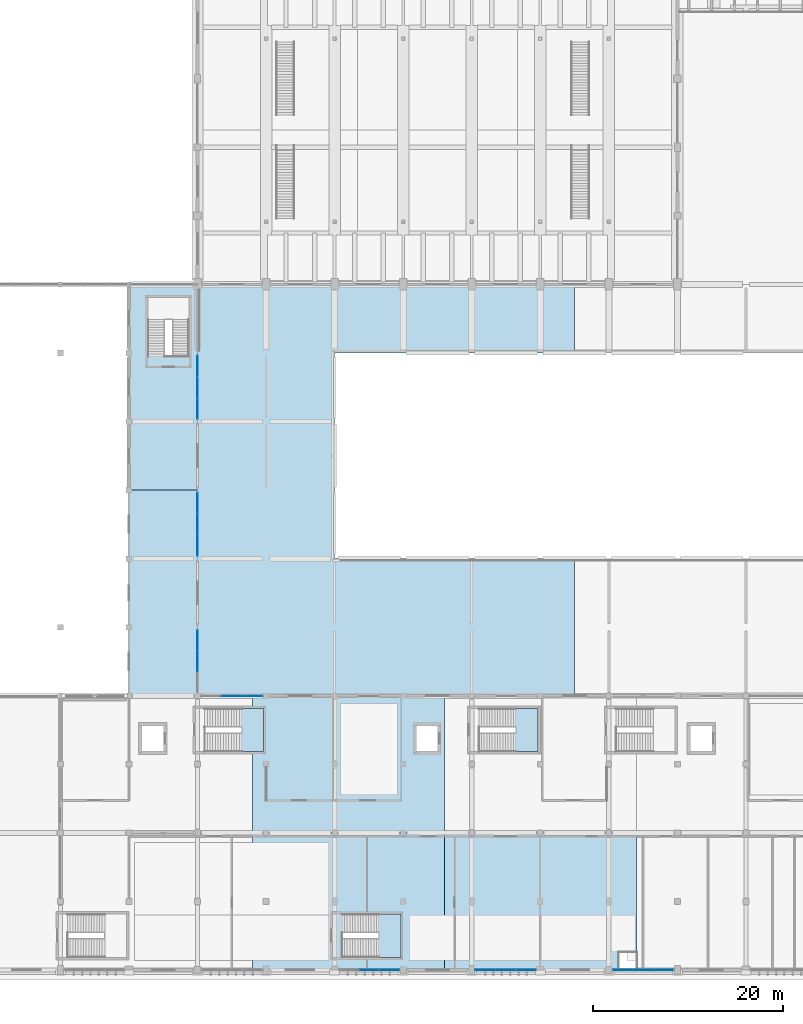
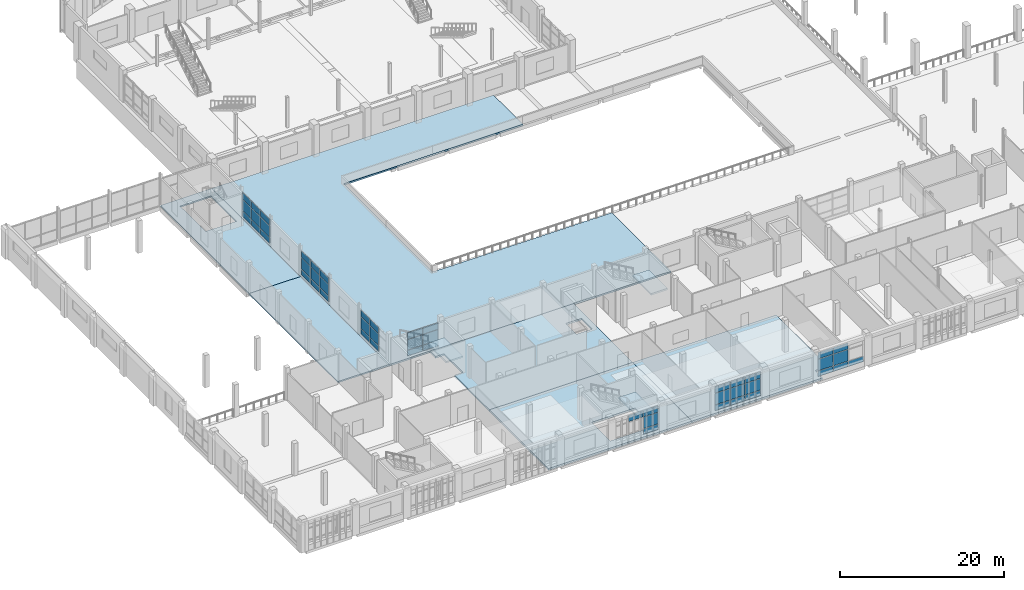
# One storey, part 46 of 82: 50 plates, 9 slabs, 10 elements without a shape of their own.
"""IFC4 building model written with IfcOpenShell, lengths in metres."""

import ifcopenshell
import ifcopenshell.guid

model = None  # the IFC model being written
_history = None  # IfcOwnerHistory: only IFC2X3 demands one
_inside = {}  # id of a spatial element -> (the spatial element, [elements in it])
_under = {}  # id of a project, library or spatial element -> (it, [spatial elements below it])
_declared = {}  # id of a project -> (the project, [libraries it declares])
_typed = {}  # id of a type object -> (the type object, [elements of that type])
_made_of = {}  # id of a material, layer set ... -> (it, [elements and type objects made of it])


def new_model(schema):
    """Start an empty IFC model of exactly this schema.

    Asked for "IFC4X3", IfcOpenShell would pick the latest addendum, in which some entities
    have other attributes; the version numbers below select the first issue.
    IFC2X3 requires an IfcOwnerHistory on every rooted entity: one is made here for all.
    """
    global model, _history
    if schema == "IFC4X3":
        model = ifcopenshell.file(schema_version=(4, 3, 0, 0))
    else:
        model = ifcopenshell.file(schema=schema)
    _inside.clear()
    _under.clear()
    _declared.clear()
    _typed.clear()
    _made_of.clear()
    _history = None
    if model.schema == "IFC2X3":
        org = make("IfcOrganization", Name="unknown")
        user = make(
            "IfcPersonAndOrganization",
            ThePerson=make("IfcPerson", FamilyName="unknown"),
            TheOrganization=org,
        )
        app = make(
            "IfcApplication",
            ApplicationDeveloper=org,
            Version="unknown",
            ApplicationFullName="unknown",
            ApplicationIdentifier="unknown",
        )
        _history = make(
            "IfcOwnerHistory",
            OwningUser=user,
            OwningApplication=app,
            ChangeAction="ADDED",
            CreationDate=0,
        )
    return model


def make(cls, **values):
    """One entity of the class cls with the attributes given. An attribute that is None is left unset."""
    return model.create_entity(
        cls, **{name: value for name, value in values.items() if value is not None}
    )


def rooted(cls, **values):
    """An entity with a GlobalId (a new one), such as an element, a storey or a relation."""
    return make(cls, GlobalId=ifcopenshell.guid.new(), OwnerHistory=_history, **values)


def si_unit(unit_type, name, prefix=None):
    """IfcSIUnit, for example si_unit("LENGTHUNIT", "METRE", prefix="MILLI")."""
    return make("IfcSIUnit", UnitType=unit_type, Prefix=prefix, Name=name)


def assignment(units):
    """IfcUnitAssignment: the units of a project."""
    return None if units is None else make("IfcUnitAssignment", Units=units)


def point(xyz):
    """IfcCartesianPoint."""
    return None if xyz is None else make("IfcCartesianPoint", Coordinates=xyz)


def direction(xyz):
    """IfcDirection."""
    return None if xyz is None else make("IfcDirection", DirectionRatios=xyz)


def frame(location, z_axis=None, x_axis=None):
    """IfcAxis2Placement3D, a coordinate frame: its origin and axes. An axis left out is left unset."""
    return make(
        "IfcAxis2Placement3D",
        Location=point(location),
        Axis=direction(z_axis),
        RefDirection=direction(x_axis),
    )


def frame_2d(location, x_axis=None):
    """IfcAxis2Placement2D, a coordinate frame in the plane: its origin and x axis."""
    return make(
        "IfcAxis2Placement2D", Location=point(location), RefDirection=direction(x_axis)
    )


def origin():
    """The frame at (0, 0, 0) with its axes left unset."""
    return frame((0.0, 0.0, 0.0))


def origin_2d():
    """The frame at (0, 0) in the plane with its x axis left unset."""
    return frame_2d((0.0, 0.0))


def place(relative_to, where):
    """IfcLocalPlacement: puts the frame where relative to a parent placement (None: the world)."""
    return make(
        "IfcLocalPlacement", PlacementRelTo=relative_to, RelativePlacement=where
    )


def context(
    kind, dimensions, precision=None, world=None, true_north=None, identifier=None
):
    """IfcGeometricRepresentationContext, for example the 3D "Model" context."""
    return make(
        "IfcGeometricRepresentationContext",
        ContextIdentifier=identifier,
        ContextType=kind,
        CoordinateSpaceDimension=dimensions,
        Precision=precision,
        WorldCoordinateSystem=world,
        TrueNorth=true_north,
    )


def subcontext(parent, identifier, kind, view, scale=None):
    """IfcGeometricRepresentationSubContext, for example "Body" below "Model"."""
    return make(
        "IfcGeometricRepresentationSubContext",
        ContextIdentifier=identifier,
        ContextType=kind,
        ParentContext=parent,
        TargetScale=scale,
        TargetView=view,
    )


def project(units=None, contexts=None):
    """IfcProject with its units and contexts."""
    return rooted(
        "IfcProject",
        Name="project",
        RepresentationContexts=contexts,
        UnitsInContext=assignment(units),
    )


def spatial(cls, under=None, at=None, **own):
    """A site, building, storey or space (cls), placed at a placement, below another one or the project."""
    s = rooted(cls, ObjectPlacement=at, **own)
    if under is not None:
        _under.setdefault(under.id(), (under, []))[1].append(s)
    return s


def polyline(points):
    """IfcPolyline through the points."""
    return make("IfcPolyline", Points=[point(p) for p in points])


def profile(cls, at=None, kind="AREA", **sizes):
    """A parametric profile (cls). Its sizes go by their IFC names, for example OverallWidth=200.0."""
    return make(cls, ProfileType=kind, Position=at, **sizes)


def rectangle(**sizes):
    """IfcRectangleProfileDef."""
    return profile("IfcRectangleProfileDef", **sizes)


def outline(outer, holes=None, kind="AREA"):
    """IfcArbitraryClosedProfileDef: a profile drawn as a closed curve; with holes, ...WithVoids."""
    if holes is None:
        return make("IfcArbitraryClosedProfileDef", ProfileType=kind, OuterCurve=outer)
    return make(
        "IfcArbitraryProfileDefWithVoids",
        ProfileType=kind,
        OuterCurve=outer,
        InnerCurves=holes,
    )


def extrude(swept, where, along, depth):
    """IfcExtrudedAreaSolid: the profile swept, set in the frame where, extruded along a direction by depth."""
    return make(
        "IfcExtrudedAreaSolid",
        SweptArea=swept,
        Position=where,
        ExtrudedDirection=direction(along),
        Depth=depth,
    )


def shape(context_of_items, identifier, shape_type, items):
    """IfcShapeRepresentation: the items that make up one representation, for example the "Body"."""
    return make(
        "IfcShapeRepresentation",
        ContextOfItems=context_of_items,
        RepresentationIdentifier=identifier,
        RepresentationType=shape_type,
        Items=items,
    )


def material(Name=None, Category=None):
    """IfcMaterial."""
    return make("IfcMaterial", Name=Name, Category=Category)


def layer(
    of_material, thickness, ventilated=None, Name=None, Category=None, Priority=None
):
    """IfcMaterialLayer: one layer of a wall or slab, of a material (None: an air gap)."""
    return make(
        "IfcMaterialLayer",
        Material=of_material,
        LayerThickness=thickness,
        IsVentilated=ventilated,
        Name=Name,
        Category=Category,
        Priority=Priority,
    )


def layer_set(layers, Name=None):
    """IfcMaterialLayerSet."""
    return make("IfcMaterialLayerSet", MaterialLayers=layers, LayerSetName=Name)


def made_of(thing, what):
    """Note that an element or type object is made of a material, layer set ...; save() writes the relation."""
    if what is not None:
        _made_of.setdefault(what.id(), (what, []))[1].append(thing)
    return thing


def type_object(cls, material=None, **own):
    """A type object (cls), such as IfcWallType, which elements share."""
    return made_of(rooted(cls, **own), material)


def element(
    cls,
    number,
    at=None,
    inside=None,
    cuts=None,
    type_object=None,
    material=None,
    context=None,
    identifier="Body",
    shape_type=None,
    held_by="IfcProductDefinitionShape",
    body=None,
    shapes=None,
    **own,
):
    """One element of the class cls, such as IfcWall. Its Tag is "e" and its number.

    at: its placement. inside: the storey or other place that contains it. cuts: it is an
    opening in that element (IfcRelVoidsElement). A single representation is given by context,
    identifier, shape_type and body (its items); several are given by shapes. held_by: the class
    of the entity that holds the representations. save() writes the other relations.
    """
    e = rooted(cls, Tag="e%d" % number, ObjectPlacement=at, **own)
    if body is not None:
        shapes = [shape(context, identifier, shape_type, body)]
    if shapes is not None:
        e.Representation = make(held_by, Representations=shapes)
    if inside is not None:
        _inside.setdefault(inside.id(), (inside, []))[1].append(e)
    if cuts is not None:
        rooted(
            "IfcRelVoidsElement", RelatingBuildingElement=cuts, RelatedOpeningElement=e
        )
    if type_object is not None:
        _typed.setdefault(type_object.id(), (type_object, []))[1].append(e)
    return made_of(e, material)


def aggregate(whole, parts):
    """IfcRelAggregates: a whole, such as a stair, and the parts it consists of."""
    return rooted("IfcRelAggregates", RelatingObject=whole, RelatedObjects=parts)


def save(model, path):
    """Write the relations noted so far, then the file.

    IfcRelAggregates (storeys below a building ...), IfcRelContainedInSpatialStructure (elements
    in a storey), IfcRelDefinesByType, IfcRelAssociatesMaterial and IfcRelDeclares: one each for
    every whole, place, type object, material and project.
    """
    for whole, parts in _under.values():
        aggregate(whole, parts)
    for where, things in _inside.values():
        rooted(
            "IfcRelContainedInSpatialStructure",
            RelatedElements=things,
            RelatingStructure=where,
        )
    for kind, things in _typed.values():
        rooted("IfcRelDefinesByType", RelatedObjects=things, RelatingType=kind)
    for what, things in _made_of.values():
        rooted("IfcRelAssociatesMaterial", RelatedObjects=things, RelatingMaterial=what)
    for by, libraries in _declared.values():
        rooted("IfcRelDeclares", RelatingContext=by, RelatedDefinitions=libraries)
    model.write(path)


model = new_model("IFC4")

# Units and contexts
model_context = context("Model", 3, precision=1e-05, world=origin(), true_north=direction((0.0, 1.0)))
body_context = subcontext(model_context, "Body", "Model", "MODEL_VIEW")
ifc_project = project(units=[si_unit("LENGTHUNIT", "METRE"), si_unit("AREAUNIT", "SQUARE_METRE"), si_unit("VOLUMEUNIT", "CUBIC_METRE"), si_unit("PLANEANGLEUNIT", "RADIAN"), si_unit("MASSUNIT", "GRAM", prefix="KILO")], contexts=[model_context])

# Site, building, storey
site_placement = place(None, origin())
site = spatial("IfcSite", under=ifc_project, at=site_placement, CompositionType="ELEMENT")
building_placement = place(site_placement, origin())
building = spatial("IfcBuilding", under=site, at=building_placement, Name="Sardonyx Promenade Sports Hall", CompositionType="ELEMENT")
storey_placement = place(building_placement, frame((0.0, 0.0, 11.199951171875)))
storey = spatial("IfcBuildingStorey", under=building, at=storey_placement, Name="L02", CompositionType="ELEMENT", Elevation=11.199951171875)

# Curtain wall, plates
ifc_material_1 = material(Name="Aluminium 6063-T6", Category="aluminium")
curtain_wall_type_1 = type_object("IfcCurtainWallType", Name="CW_South_L02_640", PredefinedType="USERDEFINED", material=ifc_material_1)
curtain_wall_1_placement = place(storey_placement, origin())
curtain_wall_1 = element("IfcCurtainWall", 1, at=curtain_wall_1_placement, inside=storey, type_object=curtain_wall_type_1, Name="Curtain wall CW01 cw:L02:035", ObjectType="CURTAIN WALL", PredefinedType="USERDEFINED")
ifc_material_2 = material(Name="Double-glazed solar low-E IGU 28 mm", Category="glass")
ifc_layer_1 = layer(ifc_material_2, 0.028076171875)
ifc_layer_set_1 = layer_set([ifc_layer_1], Name="CW_Pan_Glz_28")
plate_type_1 = type_object("IfcPlateType", Name="CW_Pan_Glz_28", PredefinedType="CURTAIN_PANEL", material=ifc_layer_set_1)
plate_1_placement = place(storey_placement, frame((77.7734375, 0.0, 0.4150390625), z_axis=(0.0, 0.0, 1.0), x_axis=(-1.0, 0.0, 0.0)))
plate_1 = element("IfcPlate", 2, at=plate_1_placement, type_object=plate_type_1, Name="Curtain panel CP01 cw:L02:035 #1", PredefinedType="CURTAIN_PANEL", context=body_context, shape_type="SweptSolid", body=[
    extrude(rectangle(XDim=2.083251953125, YDim=0.028076171875, at=origin_2d()), origin(), (0.0, 0.0, 1.0), 0.802490234375),
])
plate_2_placement = place(storey_placement, frame((75.625, 0.0, 0.4150390625), z_axis=(0.0, 0.0, 1.0), x_axis=(-1.0, 0.0, 0.0)))
plate_2 = element("IfcPlate", 3, at=plate_2_placement, type_object=plate_type_1, Name="Curtain panel CP01 cw:L02:035 #4", PredefinedType="CURTAIN_PANEL", context=body_context, shape_type="SweptSolid", body=[
    extrude(rectangle(XDim=2.083251953125, YDim=0.028076171875, at=origin_2d()), origin(), (0.0, 0.0, 1.0), 0.802490234375),
])
plate_3_placement = place(storey_placement, frame((75.625, 0.0, 1.282470703125), z_axis=(0.0, 0.0, 1.0), x_axis=(-1.0, 0.0, 0.0)))
plate_3 = element("IfcPlate", 4, at=plate_3_placement, type_object=plate_type_1, Name="Curtain panel CP01 cw:L02:035 #5", PredefinedType="CURTAIN_PANEL", context=body_context, shape_type="SweptSolid", body=[
    extrude(rectangle(XDim=2.083251953125, YDim=0.028076171875, at=origin_2d()), origin(), (0.0, 0.0, 1.0), 1.68505859375),
])
plate_4_placement = place(storey_placement, frame((75.625, 0.0, 3.03271484375), z_axis=(0.0, 0.0, 1.0), x_axis=(-1.0, 0.0, 0.0)))
plate_4 = element("IfcPlate", 5, at=plate_4_placement, type_object=plate_type_1, Name="Curtain panel CP01 cw:L02:035 #6", PredefinedType="CURTAIN_PANEL", context=body_context, shape_type="SweptSolid", body=[
    extrude(rectangle(XDim=2.083251953125, YDim=0.028076171875, at=origin_2d()), origin(), (0.0, 0.0, 1.0), 0.952392578125),
])
plate_5_placement = place(storey_placement, frame((73.4765625, 0.0, 0.4150390625), z_axis=(0.0, 0.0, 1.0), x_axis=(-1.0, 0.0, 0.0)))
plate_5 = element("IfcPlate", 6, at=plate_5_placement, type_object=plate_type_1, Name="Curtain panel CP01 cw:L02:035 #7", PredefinedType="CURTAIN_PANEL", context=body_context, shape_type="SweptSolid", body=[
    extrude(rectangle(XDim=2.083251953125, YDim=0.028076171875, at=origin_2d()), origin(), (0.0, 0.0, 1.0), 0.802490234375),
])
plate_6_placement = place(storey_placement, frame((73.4765625, 0.0, 1.282470703125), z_axis=(0.0, 0.0, 1.0), x_axis=(-1.0, 0.0, 0.0)))
plate_6 = element("IfcPlate", 7, at=plate_6_placement, type_object=plate_type_1, Name="Curtain panel CP01 cw:L02:035 #8", PredefinedType="CURTAIN_PANEL", context=body_context, shape_type="SweptSolid", body=[
    extrude(rectangle(XDim=2.083251953125, YDim=0.028076171875, at=origin_2d()), origin(), (0.0, 0.0, 1.0), 1.68505859375),
])
plate_7_placement = place(storey_placement, frame((73.4765625, 0.0, 3.03271484375), z_axis=(0.0, 0.0, 1.0), x_axis=(-1.0, 0.0, 0.0)))
plate_7 = element("IfcPlate", 8, at=plate_7_placement, type_object=plate_type_1, Name="Curtain panel CP01 cw:L02:035 #9", PredefinedType="CURTAIN_PANEL", context=body_context, shape_type="SweptSolid", body=[
    extrude(rectangle(XDim=2.083251953125, YDim=0.028076171875, at=origin_2d()), origin(), (0.0, 0.0, 1.0), 0.952392578125),
])
aggregate(curtain_wall_1, [plate_1, plate_2, plate_3, plate_4, plate_5, plate_6, plate_7])

curtain_wall_2_placement = place(storey_placement, origin())
curtain_wall_2 = element("IfcCurtainWall", 9, at=curtain_wall_2_placement, inside=storey, type_object=curtain_wall_type_1, Name="Curtain wall CW01 cw:L02:036", ObjectType="CURTAIN WALL", PredefinedType="USERDEFINED")
plate_8_placement = place(storey_placement, frame((63.28173828125, 0.0, 0.4150390625), z_axis=(0.0, 0.0, 1.0), x_axis=(-1.0, 0.0, 0.0)))
plate_8 = element("IfcPlate", 10, at=plate_8_placement, type_object=plate_type_1, Name="Curtain panel CP01 cw:L02:036 #1", PredefinedType="CURTAIN_PANEL", context=body_context, shape_type="SweptSolid", body=[
    extrude(rectangle(XDim=2.066650390625, YDim=0.028076171875, at=origin_2d()), origin(), (0.0, 0.0, 1.0), 0.802490234375),
])
plate_9_placement = place(storey_placement, frame((63.28173828125, 0.0, 1.282470703125), z_axis=(0.0, 0.0, 1.0), x_axis=(-1.0, 0.0, 0.0)))
plate_9 = element("IfcPlate", 11, at=plate_9_placement, type_object=plate_type_1, Name="Curtain panel CP01 cw:L02:036 #2", PredefinedType="CURTAIN_PANEL", context=body_context, shape_type="SweptSolid", body=[
    extrude(rectangle(XDim=2.066650390625, YDim=0.028076171875, at=origin_2d()), origin(), (0.0, 0.0, 1.0), 1.68505859375),
])
plate_10_placement = place(storey_placement, frame((63.28173828125, 0.0, 3.03271484375), z_axis=(0.0, 0.0, 1.0), x_axis=(-1.0, 0.0, 0.0)))
plate_10 = element("IfcPlate", 12, at=plate_10_placement, type_object=plate_type_1, Name="Curtain panel CP01 cw:L02:036 #3", PredefinedType="CURTAIN_PANEL", context=body_context, shape_type="SweptSolid", body=[
    extrude(rectangle(XDim=2.066650390625, YDim=0.028076171875, at=origin_2d()), origin(), (0.0, 0.0, 1.0), 0.952392578125),
])
plate_11_placement = place(storey_placement, frame((61.14990234375, 0.0, 0.4150390625), z_axis=(0.0, 0.0, 1.0), x_axis=(-1.0, 0.0, 0.0)))
plate_11 = element("IfcPlate", 13, at=plate_11_placement, type_object=plate_type_1, Name="Curtain panel CP01 cw:L02:036 #4", PredefinedType="CURTAIN_PANEL", context=body_context, shape_type="SweptSolid", body=[
    extrude(rectangle(XDim=2.066650390625, YDim=0.028076171875, at=origin_2d()), origin(), (0.0, 0.0, 1.0), 0.802490234375),
])
plate_12_placement = place(storey_placement, frame((61.14990234375, 0.0, 1.282470703125), z_axis=(0.0, 0.0, 1.0), x_axis=(-1.0, 0.0, 0.0)))
plate_12 = element("IfcPlate", 14, at=plate_12_placement, type_object=plate_type_1, Name="Curtain panel CP01 cw:L02:036 #5", PredefinedType="CURTAIN_PANEL", context=body_context, shape_type="SweptSolid", body=[
    extrude(rectangle(XDim=2.066650390625, YDim=0.028076171875, at=origin_2d()), origin(), (0.0, 0.0, 1.0), 1.68505859375),
])
plate_13_placement = place(storey_placement, frame((61.14990234375, 0.0, 3.03271484375), z_axis=(0.0, 0.0, 1.0), x_axis=(-1.0, 0.0, 0.0)))
plate_13 = element("IfcPlate", 15, at=plate_13_placement, type_object=plate_type_1, Name="Curtain panel CP01 cw:L02:036 #6", PredefinedType="CURTAIN_PANEL", context=body_context, shape_type="SweptSolid", body=[
    extrude(rectangle(XDim=2.066650390625, YDim=0.028076171875, at=origin_2d()), origin(), (0.0, 0.0, 1.0), 0.952392578125),
])
plate_14_placement = place(storey_placement, frame((59.018310546875, 0.0, 0.4150390625), z_axis=(0.0, 0.0, 1.0), x_axis=(-1.0, 0.0, 0.0)))
plate_14 = element("IfcPlate", 16, at=plate_14_placement, type_object=plate_type_1, Name="Curtain panel CP01 cw:L02:036 #7", PredefinedType="CURTAIN_PANEL", context=body_context, shape_type="SweptSolid", body=[
    extrude(rectangle(XDim=2.066650390625, YDim=0.028076171875, at=origin_2d()), origin(), (0.0, 0.0, 1.0), 0.802490234375),
])
plate_15_placement = place(storey_placement, frame((59.018310546875, 0.0, 1.282470703125), z_axis=(0.0, 0.0, 1.0), x_axis=(-1.0, 0.0, 0.0)))
plate_15 = element("IfcPlate", 17, at=plate_15_placement, type_object=plate_type_1, Name="Curtain panel CP01 cw:L02:036 #8", PredefinedType="CURTAIN_PANEL", context=body_context, shape_type="SweptSolid", body=[
    extrude(rectangle(XDim=2.066650390625, YDim=0.028076171875, at=origin_2d()), origin(), (0.0, 0.0, 1.0), 1.68505859375),
])
plate_16_placement = place(storey_placement, frame((59.018310546875, 0.0, 3.03271484375), z_axis=(0.0, 0.0, 1.0), x_axis=(-1.0, 0.0, 0.0)))
plate_16 = element("IfcPlate", 18, at=plate_16_placement, type_object=plate_type_1, Name="Curtain panel CP01 cw:L02:036 #9", PredefinedType="CURTAIN_PANEL", context=body_context, shape_type="SweptSolid", body=[
    extrude(rectangle(XDim=2.066650390625, YDim=0.028076171875, at=origin_2d()), origin(), (0.0, 0.0, 1.0), 0.952392578125),
])
aggregate(curtain_wall_2, [plate_8, plate_9, plate_10, plate_11, plate_12, plate_13, plate_14, plate_15, plate_16])

curtain_wall_3_placement = place(storey_placement, origin())
curtain_wall_3 = element("IfcCurtainWall", 19, at=curtain_wall_3_placement, inside=storey, type_object=curtain_wall_type_1, Name="Curtain wall CW01 cw:L02:037", ObjectType="CURTAIN WALL", PredefinedType="USERDEFINED")
plate_17_placement = place(storey_placement, frame((48.93994140625, 0.0, 0.4150390625), z_axis=(0.0, 0.0, 1.0), x_axis=(-1.0, 0.0, 0.0)))
plate_17 = element("IfcPlate", 20, at=plate_17_placement, type_object=plate_type_1, Name="Curtain panel CP01 cw:L02:037 #1", PredefinedType="CURTAIN_PANEL", context=body_context, shape_type="SweptSolid", body=[
    extrude(rectangle(XDim=2.050048828125, YDim=0.028076171875, at=origin_2d()), origin(), (0.0, 0.0, 1.0), 0.802490234375),
])
plate_18_placement = place(storey_placement, frame((48.93994140625, 0.0, 1.282470703125), z_axis=(0.0, 0.0, 1.0), x_axis=(-1.0, 0.0, 0.0)))
plate_18 = element("IfcPlate", 21, at=plate_18_placement, type_object=plate_type_1, Name="Curtain panel CP01 cw:L02:037 #2", PredefinedType="CURTAIN_PANEL", context=body_context, shape_type="SweptSolid", body=[
    extrude(rectangle(XDim=2.050048828125, YDim=0.028076171875, at=origin_2d()), origin(), (0.0, 0.0, 1.0), 1.68505859375),
])
plate_19_placement = place(storey_placement, frame((48.93994140625, 0.0, 3.03271484375), z_axis=(0.0, 0.0, 1.0), x_axis=(-1.0, 0.0, 0.0)))
plate_19 = element("IfcPlate", 22, at=plate_19_placement, type_object=plate_type_1, Name="Curtain panel CP01 cw:L02:037 #3", PredefinedType="CURTAIN_PANEL", context=body_context, shape_type="SweptSolid", body=[
    extrude(rectangle(XDim=2.050048828125, YDim=0.028076171875, at=origin_2d()), origin(), (0.0, 0.0, 1.0), 0.952392578125),
])
plate_20_placement = place(storey_placement, frame((46.824951171875, 0.0, 3.03271484375), z_axis=(0.0, 0.0, 1.0), x_axis=(-1.0, 0.0, 0.0)))
plate_20 = element("IfcPlate", 23, at=plate_20_placement, type_object=plate_type_1, Name="Curtain panel CP01 cw:L02:037 #6", PredefinedType="CURTAIN_PANEL", context=body_context, shape_type="SweptSolid", body=[
    extrude(rectangle(XDim=2.050048828125, YDim=0.028076171875, at=origin_2d()), origin(), (0.0, 0.0, 1.0), 0.952392578125),
])
aggregate(curtain_wall_3, [plate_17, plate_18, plate_19, plate_20])

curtain_wall_4_placement = place(storey_placement, origin())
curtain_wall_4 = element("IfcCurtainWall", 24, at=curtain_wall_4_placement, inside=storey, type_object=curtain_wall_type_1, Name="Curtain wall CW01 cw:L02:152", ObjectType="CURTAIN WALL", PredefinedType="USERDEFINED")
plate_21_placement = place(storey_placement, frame((28.800048828125, 63.418212890625, 0.4150390625), z_axis=(0.0, 0.0, 1.0), x_axis=(0.0, -1.0, 0.0)))
plate_21 = element("IfcPlate", 25, at=plate_21_placement, type_object=plate_type_1, Name="Curtain panel CP01 cw:L02:152 #1", PredefinedType="CURTAIN_PANEL", context=body_context, shape_type="SweptSolid", body=[
    extrude(rectangle(XDim=2.1533203125, YDim=0.028076171875, at=origin_2d()), origin(), (0.0, 0.0, 1.0), 0.802490234375),
])
plate_22_placement = place(storey_placement, frame((28.800048828125, 63.418212890625, 1.282470703125), z_axis=(0.0, 0.0, 1.0), x_axis=(0.0, -1.0, 0.0)))
plate_22 = element("IfcPlate", 26, at=plate_22_placement, type_object=plate_type_1, Name="Curtain panel CP01 cw:L02:152 #2", PredefinedType="CURTAIN_PANEL", context=body_context, shape_type="SweptSolid", body=[
    extrude(rectangle(XDim=2.1533203125, YDim=0.028076171875, at=origin_2d()), origin(), (0.0, 0.0, 1.0), 1.68505859375),
])
plate_23_placement = place(storey_placement, frame((28.800048828125, 63.418212890625, 3.03271484375), z_axis=(0.0, 0.0, 1.0), x_axis=(0.0, -1.0, 0.0)))
plate_23 = element("IfcPlate", 27, at=plate_23_placement, type_object=plate_type_1, Name="Curtain panel CP01 cw:L02:152 #3", PredefinedType="CURTAIN_PANEL", context=body_context, shape_type="SweptSolid", body=[
    extrude(rectangle(XDim=2.1533203125, YDim=0.028076171875, at=origin_2d()), origin(), (0.0, 0.0, 1.0), 0.952392578125),
])
plate_24_placement = place(storey_placement, frame((28.800048828125, 61.199951171875, 0.4150390625), z_axis=(0.0, 0.0, 1.0), x_axis=(0.0, -1.0, 0.0)))
plate_24 = element("IfcPlate", 28, at=plate_24_placement, type_object=plate_type_1, Name="Curtain panel CP01 cw:L02:152 #4", PredefinedType="CURTAIN_PANEL", context=body_context, shape_type="SweptSolid", body=[
    extrude(rectangle(XDim=2.1533203125, YDim=0.028076171875, at=origin_2d()), origin(), (0.0, 0.0, 1.0), 0.802490234375),
])
plate_25_placement = place(storey_placement, frame((28.800048828125, 61.199951171875, 1.282470703125), z_axis=(0.0, 0.0, 1.0), x_axis=(0.0, -1.0, 0.0)))
plate_25 = element("IfcPlate", 29, at=plate_25_placement, type_object=plate_type_1, Name="Curtain panel CP01 cw:L02:152 #5", PredefinedType="CURTAIN_PANEL", context=body_context, shape_type="SweptSolid", body=[
    extrude(rectangle(XDim=2.1533203125, YDim=0.028076171875, at=origin_2d()), origin(), (0.0, 0.0, 1.0), 1.68505859375),
])
plate_26_placement = place(storey_placement, frame((28.800048828125, 61.199951171875, 3.03271484375), z_axis=(0.0, 0.0, 1.0), x_axis=(0.0, -1.0, 0.0)))
plate_26 = element("IfcPlate", 30, at=plate_26_placement, type_object=plate_type_1, Name="Curtain panel CP01 cw:L02:152 #6", PredefinedType="CURTAIN_PANEL", context=body_context, shape_type="SweptSolid", body=[
    extrude(rectangle(XDim=2.1533203125, YDim=0.028076171875, at=origin_2d()), origin(), (0.0, 0.0, 1.0), 0.952392578125),
])
plate_27_placement = place(storey_placement, frame((28.800048828125, 58.981689453125, 0.4150390625), z_axis=(0.0, 0.0, 1.0), x_axis=(0.0, -1.0, 0.0)))
plate_27 = element("IfcPlate", 31, at=plate_27_placement, type_object=plate_type_1, Name="Curtain panel CP01 cw:L02:152 #7", PredefinedType="CURTAIN_PANEL", context=body_context, shape_type="SweptSolid", body=[
    extrude(rectangle(XDim=2.1533203125, YDim=0.028076171875, at=origin_2d()), origin(), (0.0, 0.0, 1.0), 0.802490234375),
])
plate_28_placement = place(storey_placement, frame((28.800048828125, 58.981689453125, 1.282470703125), z_axis=(0.0, 0.0, 1.0), x_axis=(0.0, -1.0, 0.0)))
plate_28 = element("IfcPlate", 32, at=plate_28_placement, type_object=plate_type_1, Name="Curtain panel CP01 cw:L02:152 #8", PredefinedType="CURTAIN_PANEL", context=body_context, shape_type="SweptSolid", body=[
    extrude(rectangle(XDim=2.1533203125, YDim=0.028076171875, at=origin_2d()), origin(), (0.0, 0.0, 1.0), 1.68505859375),
])
plate_29_placement = place(storey_placement, frame((28.800048828125, 58.981689453125, 3.03271484375), z_axis=(0.0, 0.0, 1.0), x_axis=(0.0, -1.0, 0.0)))
plate_29 = element("IfcPlate", 33, at=plate_29_placement, type_object=plate_type_1, Name="Curtain panel CP01 cw:L02:152 #9", PredefinedType="CURTAIN_PANEL", context=body_context, shape_type="SweptSolid", body=[
    extrude(rectangle(XDim=2.1533203125, YDim=0.028076171875, at=origin_2d()), origin(), (0.0, 0.0, 1.0), 0.952392578125),
])
aggregate(curtain_wall_4, [plate_21, plate_22, plate_23, plate_24, plate_25, plate_26, plate_27, plate_28, plate_29])

curtain_wall_5_placement = place(storey_placement, origin())
curtain_wall_5 = element("IfcCurtainWall", 34, at=curtain_wall_5_placement, inside=storey, type_object=curtain_wall_type_1, Name="Curtain wall CW01 cw:L02:153", ObjectType="CURTAIN WALL", PredefinedType="USERDEFINED")
plate_30_placement = place(storey_placement, frame((28.800048828125, 49.018310546875, 0.4150390625), z_axis=(0.0, 0.0, 1.0), x_axis=(0.0, -1.0, 0.0)))
plate_30 = element("IfcPlate", 35, at=plate_30_placement, type_object=plate_type_1, Name="Curtain panel CP01 cw:L02:153 #1", PredefinedType="CURTAIN_PANEL", context=body_context, shape_type="SweptSolid", body=[
    extrude(rectangle(XDim=2.1533203125, YDim=0.028076171875, at=origin_2d()), origin(), (0.0, 0.0, 1.0), 0.802490234375),
])
plate_31_placement = place(storey_placement, frame((28.800048828125, 49.018310546875, 1.282470703125), z_axis=(0.0, 0.0, 1.0), x_axis=(0.0, -1.0, 0.0)))
plate_31 = element("IfcPlate", 36, at=plate_31_placement, type_object=plate_type_1, Name="Curtain panel CP01 cw:L02:153 #2", PredefinedType="CURTAIN_PANEL", context=body_context, shape_type="SweptSolid", body=[
    extrude(rectangle(XDim=2.1533203125, YDim=0.028076171875, at=origin_2d()), origin(), (0.0, 0.0, 1.0), 1.68505859375),
])
plate_32_placement = place(storey_placement, frame((28.800048828125, 49.018310546875, 3.03271484375), z_axis=(0.0, 0.0, 1.0), x_axis=(0.0, -1.0, 0.0)))
plate_32 = element("IfcPlate", 37, at=plate_32_placement, type_object=plate_type_1, Name="Curtain panel CP01 cw:L02:153 #3", PredefinedType="CURTAIN_PANEL", context=body_context, shape_type="SweptSolid", body=[
    extrude(rectangle(XDim=2.1533203125, YDim=0.028076171875, at=origin_2d()), origin(), (0.0, 0.0, 1.0), 0.952392578125),
])
plate_33_placement = place(storey_placement, frame((28.800048828125, 46.800048828125, 0.4150390625), z_axis=(0.0, 0.0, 1.0), x_axis=(0.0, -1.0, 0.0)))
plate_33 = element("IfcPlate", 38, at=plate_33_placement, type_object=plate_type_1, Name="Curtain panel CP01 cw:L02:153 #4", PredefinedType="CURTAIN_PANEL", context=body_context, shape_type="SweptSolid", body=[
    extrude(rectangle(XDim=2.1533203125, YDim=0.028076171875, at=origin_2d()), origin(), (0.0, 0.0, 1.0), 0.802490234375),
])
plate_34_placement = place(storey_placement, frame((28.800048828125, 46.800048828125, 1.282470703125), z_axis=(0.0, 0.0, 1.0), x_axis=(0.0, -1.0, 0.0)))
plate_34 = element("IfcPlate", 39, at=plate_34_placement, type_object=plate_type_1, Name="Curtain panel CP01 cw:L02:153 #5", PredefinedType="CURTAIN_PANEL", context=body_context, shape_type="SweptSolid", body=[
    extrude(rectangle(XDim=2.1533203125, YDim=0.028076171875, at=origin_2d()), origin(), (0.0, 0.0, 1.0), 1.68505859375),
])
plate_35_placement = place(storey_placement, frame((28.800048828125, 46.800048828125, 3.03271484375), z_axis=(0.0, 0.0, 1.0), x_axis=(0.0, -1.0, 0.0)))
plate_35 = element("IfcPlate", 40, at=plate_35_placement, type_object=plate_type_1, Name="Curtain panel CP01 cw:L02:153 #6", PredefinedType="CURTAIN_PANEL", context=body_context, shape_type="SweptSolid", body=[
    extrude(rectangle(XDim=2.1533203125, YDim=0.028076171875, at=origin_2d()), origin(), (0.0, 0.0, 1.0), 0.952392578125),
])
plate_36_placement = place(storey_placement, frame((28.800048828125, 44.581787109375, 0.4150390625), z_axis=(0.0, 0.0, 1.0), x_axis=(0.0, -1.0, 0.0)))
plate_36 = element("IfcPlate", 41, at=plate_36_placement, type_object=plate_type_1, Name="Curtain panel CP01 cw:L02:153 #7", PredefinedType="CURTAIN_PANEL", context=body_context, shape_type="SweptSolid", body=[
    extrude(rectangle(XDim=2.1533203125, YDim=0.028076171875, at=origin_2d()), origin(), (0.0, 0.0, 1.0), 0.802490234375),
])
plate_37_placement = place(storey_placement, frame((28.800048828125, 44.581787109375, 1.282470703125), z_axis=(0.0, 0.0, 1.0), x_axis=(0.0, -1.0, 0.0)))
plate_37 = element("IfcPlate", 42, at=plate_37_placement, type_object=plate_type_1, Name="Curtain panel CP01 cw:L02:153 #8", PredefinedType="CURTAIN_PANEL", context=body_context, shape_type="SweptSolid", body=[
    extrude(rectangle(XDim=2.1533203125, YDim=0.028076171875, at=origin_2d()), origin(), (0.0, 0.0, 1.0), 1.68505859375),
])
plate_38_placement = place(storey_placement, frame((28.800048828125, 44.581787109375, 3.03271484375), z_axis=(0.0, 0.0, 1.0), x_axis=(0.0, -1.0, 0.0)))
plate_38 = element("IfcPlate", 43, at=plate_38_placement, type_object=plate_type_1, Name="Curtain panel CP01 cw:L02:153 #9", PredefinedType="CURTAIN_PANEL", context=body_context, shape_type="SweptSolid", body=[
    extrude(rectangle(XDim=2.1533203125, YDim=0.028076171875, at=origin_2d()), origin(), (0.0, 0.0, 1.0), 0.952392578125),
])
aggregate(curtain_wall_5, [plate_30, plate_31, plate_32, plate_33, plate_34, plate_35, plate_36, plate_37, plate_38])

curtain_wall_6_placement = place(storey_placement, origin())
curtain_wall_6 = element("IfcCurtainWall", 44, at=curtain_wall_6_placement, inside=storey, type_object=curtain_wall_type_1, Name="Curtain wall CW01 cw:L02:154", ObjectType="CURTAIN WALL", PredefinedType="USERDEFINED")
plate_39_placement = place(storey_placement, frame((28.800048828125, 34.631591796875, 0.4150390625), z_axis=(0.0, 0.0, 1.0), x_axis=(0.0, -1.0, 0.0)))
plate_39 = element("IfcPlate", 45, at=plate_39_placement, type_object=plate_type_1, Name="Curtain panel CP01 cw:L02:154 #1", PredefinedType="CURTAIN_PANEL", context=body_context, shape_type="SweptSolid", body=[
    extrude(rectangle(XDim=2.126708984375, YDim=0.028076171875, at=origin_2d()), origin(), (0.0, 0.0, 1.0), 0.802490234375),
])
plate_40_placement = place(storey_placement, frame((28.800048828125, 34.631591796875, 1.282470703125), z_axis=(0.0, 0.0, 1.0), x_axis=(0.0, -1.0, 0.0)))
plate_40 = element("IfcPlate", 46, at=plate_40_placement, type_object=plate_type_1, Name="Curtain panel CP01 cw:L02:154 #2", PredefinedType="CURTAIN_PANEL", context=body_context, shape_type="SweptSolid", body=[
    extrude(rectangle(XDim=2.126708984375, YDim=0.028076171875, at=origin_2d()), origin(), (0.0, 0.0, 1.0), 1.68505859375),
])
plate_41_placement = place(storey_placement, frame((28.800048828125, 34.631591796875, 3.03271484375), z_axis=(0.0, 0.0, 1.0), x_axis=(0.0, -1.0, 0.0)))
plate_41 = element("IfcPlate", 47, at=plate_41_placement, type_object=plate_type_1, Name="Curtain panel CP01 cw:L02:154 #3", PredefinedType="CURTAIN_PANEL", context=body_context, shape_type="SweptSolid", body=[
    extrude(rectangle(XDim=2.126708984375, YDim=0.028076171875, at=origin_2d()), origin(), (0.0, 0.0, 1.0), 0.952392578125),
])
plate_42_placement = place(storey_placement, frame((28.800048828125, 32.43994140625, 0.4150390625), z_axis=(0.0, 0.0, 1.0), x_axis=(0.0, -1.0, 0.0)))
plate_42 = element("IfcPlate", 48, at=plate_42_placement, type_object=plate_type_1, Name="Curtain panel CP01 cw:L02:154 #4", PredefinedType="CURTAIN_PANEL", context=body_context, shape_type="SweptSolid", body=[
    extrude(rectangle(XDim=2.126708984375, YDim=0.028076171875, at=origin_2d()), origin(), (0.0, 0.0, 1.0), 0.802490234375),
])
plate_43_placement = place(storey_placement, frame((28.800048828125, 32.43994140625, 1.282470703125), z_axis=(0.0, 0.0, 1.0), x_axis=(0.0, -1.0, 0.0)))
plate_43 = element("IfcPlate", 49, at=plate_43_placement, type_object=plate_type_1, Name="Curtain panel CP01 cw:L02:154 #5", PredefinedType="CURTAIN_PANEL", context=body_context, shape_type="SweptSolid", body=[
    extrude(rectangle(XDim=2.126708984375, YDim=0.028076171875, at=origin_2d()), origin(), (0.0, 0.0, 1.0), 1.68505859375),
])
plate_44_placement = place(storey_placement, frame((28.800048828125, 32.43994140625, 3.03271484375), z_axis=(0.0, 0.0, 1.0), x_axis=(0.0, -1.0, 0.0)))
plate_44 = element("IfcPlate", 50, at=plate_44_placement, type_object=plate_type_1, Name="Curtain panel CP01 cw:L02:154 #6", PredefinedType="CURTAIN_PANEL", context=body_context, shape_type="SweptSolid", body=[
    extrude(rectangle(XDim=2.126708984375, YDim=0.028076171875, at=origin_2d()), origin(), (0.0, 0.0, 1.0), 0.952392578125),
])
aggregate(curtain_wall_6, [plate_39, plate_40, plate_41, plate_42, plate_43, plate_44])

ifc_material_3 = material(Name="Aluminium 6063-T6", Category="aluminium")
curtain_wall_type_2 = type_object("IfcCurtainWallType", Name="CW_EastWing_L02", PredefinedType="USERDEFINED", material=ifc_material_3)
curtain_wall_7_placement = place(storey_placement, origin())
curtain_wall_7 = element("IfcCurtainWall", 51, at=curtain_wall_7_placement, inside=storey, type_object=curtain_wall_type_2, Name="Curtain wall CW09 cw:L02:158", ObjectType="CURTAIN WALL", PredefinedType="USERDEFINED")
ifc_material_4 = material(Name="Insulated aluminium spandrel panel 50 mm", Category="aluminium")
ifc_layer_2 = layer(ifc_material_4, 0.050048828125)
ifc_layer_set_2 = layer_set([ifc_layer_2], Name="CW_Pan_Spn_50")
plate_type_2 = type_object("IfcPlateType", Name="CW_Pan_Spn_50", PredefinedType="CURTAIN_PANEL", material=ifc_layer_set_2)
plate_45_placement = place(storey_placement, frame((32.39990234375, 28.800048828125, 0.409912109375), z_axis=(0.0, 0.0, 1.0), x_axis=(1.0, 0.0, 0.0)))
plate_45 = element("IfcPlate", 52, at=plate_45_placement, type_object=plate_type_2, Name="Curtain panel CP05 cw:L02:158 #4", PredefinedType="CURTAIN_PANEL", context=body_context, shape_type="SweptSolid", body=[
    extrude(rectangle(XDim=2.106689453125, YDim=0.050048828125, at=origin_2d()), origin(), (0.0, 0.0, 1.0), 0.81005859375),
])
plate_46_placement = place(storey_placement, frame((32.39990234375, 28.800048828125, 1.280029296875), z_axis=(0.0, 0.0, 1.0), x_axis=(1.0, 0.0, 0.0)))
plate_46 = element("IfcPlate", 53, at=plate_46_placement, type_object=plate_type_2, Name="Curtain panel CP05 cw:L02:158 #5", PredefinedType="CURTAIN_PANEL", context=body_context, shape_type="SweptSolid", body=[
    extrude(rectangle(XDim=2.106689453125, YDim=0.050048828125, at=origin_2d()), origin(), (0.0, 0.0, 1.0), 1.5400390625),
])
plate_47_placement = place(storey_placement, frame((32.39990234375, 28.800048828125, 2.880126953125), z_axis=(0.0, 0.0, 1.0), x_axis=(1.0, 0.0, 0.0)))
plate_47 = element("IfcPlate", 54, at=plate_47_placement, type_object=plate_type_2, Name="Curtain panel CP05 cw:L02:158 #6", PredefinedType="CURTAIN_PANEL", context=body_context, shape_type="SweptSolid", body=[
    extrude(rectangle(XDim=2.106689453125, YDim=0.050048828125, at=origin_2d()), origin(), (0.0, 0.0, 1.0), 0.9599609375),
])
plate_48_placement = place(storey_placement, frame((34.566650390625, 28.800048828125, 0.409912109375), z_axis=(0.0, 0.0, 1.0), x_axis=(1.0, 0.0, 0.0)))
plate_48 = element("IfcPlate", 55, at=plate_48_placement, type_object=plate_type_2, Name="Curtain panel CP05 cw:L02:158 #7", PredefinedType="CURTAIN_PANEL", context=body_context, shape_type="SweptSolid", body=[
    extrude(rectangle(XDim=2.106689453125, YDim=0.050048828125, at=origin_2d()), origin(), (0.0, 0.0, 1.0), 0.81005859375),
])
plate_49_placement = place(storey_placement, frame((34.566650390625, 28.800048828125, 1.280029296875), z_axis=(0.0, 0.0, 1.0), x_axis=(1.0, 0.0, 0.0)))
plate_49 = element("IfcPlate", 56, at=plate_49_placement, type_object=plate_type_2, Name="Curtain panel CP05 cw:L02:158 #8", PredefinedType="CURTAIN_PANEL", context=body_context, shape_type="SweptSolid", body=[
    extrude(rectangle(XDim=2.106689453125, YDim=0.050048828125, at=origin_2d()), origin(), (0.0, 0.0, 1.0), 1.5400390625),
])
plate_50_placement = place(storey_placement, frame((34.566650390625, 28.800048828125, 2.880126953125), z_axis=(0.0, 0.0, 1.0), x_axis=(1.0, 0.0, 0.0)))
plate_50 = element("IfcPlate", 57, at=plate_50_placement, type_object=plate_type_2, Name="Curtain panel CP05 cw:L02:158 #9", PredefinedType="CURTAIN_PANEL", context=body_context, shape_type="SweptSolid", body=[
    extrude(rectangle(XDim=2.106689453125, YDim=0.050048828125, at=origin_2d()), origin(), (0.0, 0.0, 1.0), 0.9599609375),
])
aggregate(curtain_wall_7, [plate_45, plate_46, plate_47, plate_48, plate_49, plate_50])

# Stair, slab
ifc_material_5 = material(Name="Concrete C40/50", Category="concrete")
stair_type = type_object("IfcStairType", Name="Stair_Esc_Mid_480", PredefinedType="HALF_TURN_STAIR", material=ifc_material_5)
stair_1_placement = place(storey_placement, origin())
stair_1 = element("IfcStair", 58, at=stair_1_placement, inside=storey, type_object=stair_type, Name="Protected escape stair ST1 (L02 to L03)", PredefinedType="HALF_TURN_STAIR")
ifc_material_6 = material(Name="Concrete C40/50", Category="concrete")
ifc_layer_3 = layer(ifc_material_6, 0.239990234375)
ifc_layer_set_3 = layer_set([ifc_layer_3], Name="Land_Stair_240")
slab_type_1 = type_object("IfcSlabType", Name="Land_Stair_240", PredefinedType="LANDING", material=ifc_layer_set_3)
slab_1_placement = place(storey_placement, frame((0.0, 0.0, 2.16015625)))
slab_1 = element("IfcSlab", 59, at=slab_1_placement, type_object=slab_type_1, Name="Stair half-landing ST1 L02", PredefinedType="LANDING", context=body_context, shape_type="SweptSolid", body=[
    extrude(outline(polyline([(33.409912109375, 22.925048828125), (35.75, 22.925048828125), (35.75, 27.47509765625), (33.409912109375, 27.47509765625), (33.409912109375, 22.925048828125)])), origin(), (0.0, 0.0, 1.0), 0.239990234375),
])
aggregate(stair_1, [slab_1])

stair_2_placement = place(storey_placement, origin())
stair_2 = element("IfcStair", 60, at=stair_2_placement, inside=storey, type_object=stair_type, Name="Protected escape stair ST3 (L02 to L03)", PredefinedType="HALF_TURN_STAIR")
slab_2_placement = place(storey_placement, frame((0.0, 0.0, 2.16015625)))
slab_2 = element("IfcSlab", 61, at=slab_2_placement, type_object=slab_type_1, Name="Stair half-landing ST3 L02", PredefinedType="LANDING", context=body_context, shape_type="SweptSolid", body=[
    extrude(outline(polyline([(62.2099609375, 22.925048828125), (64.550048828125, 22.925048828125), (64.550048828125, 27.47509765625), (62.2099609375, 27.47509765625), (62.2099609375, 22.925048828125)])), origin(), (0.0, 0.0, 1.0), 0.239990234375),
])
aggregate(stair_2, [slab_2])

stair_3_placement = place(storey_placement, origin())
stair_3 = element("IfcStair", 62, at=stair_3_placement, inside=storey, type_object=stair_type, Name="Protected escape stair ST6 (L02 to L03)", PredefinedType="HALF_TURN_STAIR")
slab_3_placement = place(storey_placement, frame((0.0, 0.0, 2.16015625)))
slab_3 = element("IfcSlab", 63, at=slab_3_placement, type_object=slab_type_1, Name="Stair half-landing ST6 L02", PredefinedType="LANDING", context=body_context, shape_type="SweptSolid", body=[
    extrude(outline(polyline([(47.81005859375, 1.324951171875), (50.14990234375, 1.324951171875), (50.14990234375, 5.875), (47.81005859375, 5.875), (47.81005859375, 1.324951171875)])), origin(), (0.0, 0.0, 1.0), 0.239990234375),
])
aggregate(stair_3, [slab_3])

# Slabs
ifc_material_7 = material(Name="Concrete C40/50", Category="concrete")
ifc_layer_4 = layer(ifc_material_7, 0.239990234375)
ifc_layer_set_4 = layer_set([ifc_layer_4], Name="Slab_Ext_Garden_240")
slab_type_2 = type_object("IfcSlabType", Name="Slab_Ext_Garden_240", PredefinedType="ROOF", material=ifc_layer_set_4)
slab_4_placement = place(storey_placement, frame((0.0, 0.0, -0.239990234375)))
element("IfcSlab", 64, at=slab_4_placement, inside=storey, type_object=slab_type_2, Name="Riwaq planted roof garden west L02", PredefinedType="ROOF", context=body_context, shape_type="SweptSolid", body=[
    extrude(outline(polyline([(28.800048828125, 28.800048828125), (68.39990234375, 28.800048828125), (68.39990234375, 43.199951171875), (43.199951171875, 43.199951171875), (43.199951171875, 64.800048828125), (68.39990234375, 64.800048828125), (68.39990234375, 72.0), (28.800048828125, 72.0), (28.800048828125, 28.800048828125)])), origin(), (0.0, 0.0, 1.0), 0.239990234375),
])
ifc_material_8 = material(Name="Concrete C40/50", Category="concrete")
ifc_layer_5 = layer(ifc_material_8, 0.199951171875)
ifc_layer_set_5 = layer_set([ifc_layer_5], Name="Slab_Floor_Mezz_200")
slab_type_3 = type_object("IfcSlabType", Name="Slab_Floor_Mezz_200", PredefinedType="FLOOR", material=ifc_layer_set_5)
slab_5_placement = place(storey_placement, frame((0.0, 0.0, -0.199951171875)))
element("IfcSlab", 65, at=slab_5_placement, inside=storey, type_object=slab_type_3, Name="Slab FS05 L02 #162", PredefinedType="FLOOR", context=body_context, shape_type="SweptSolid", body=[
    extrude(outline(polyline([(21.60009765625, 28.800048828125), (28.800048828125, 28.800048828125), (28.800048828125, 50.39990234375), (21.60009765625, 50.39990234375), (21.60009765625, 28.800048828125)])), origin(), (0.0, 0.0, 1.0), 0.199951171875),
])
slab_6_placement = place(storey_placement, frame((0.0, 0.0, -0.199951171875)))
element("IfcSlab", 66, at=slab_6_placement, inside=storey, type_object=slab_type_3, Name="Slab FS05 L02 #163", PredefinedType="FLOOR", context=body_context, shape_type="SweptSolid", body=[
    extrude(outline(polyline([(21.60009765625, 72.0), (21.60009765625, 50.39990234375), (28.800048828125, 50.39990234375), (28.800048828125, 72.0), (21.60009765625, 72.0)]), holes=[polyline([(27.925048828125, 70.64990234375), (27.925048828125, 64.4599609375), (23.574951171875, 64.4599609375), (23.574951171875, 70.64990234375), (27.925048828125, 70.64990234375)])]), origin(), (0.0, 0.0, 1.0), 0.199951171875),
])
ifc_material_9 = material(Name="Concrete C40/50", Category="concrete")
ifc_layer_6 = layer(ifc_material_9, 0.27001953125)
ifc_layer_set_6 = layer_set([ifc_layer_6], Name="Slab_Floor_Studio_250")
slab_type_4 = type_object("IfcSlabType", Name="Slab_Floor_Studio_250", PredefinedType="FLOOR", material=ifc_layer_set_6)
slab_7_placement = place(storey_placement, frame((0.0, 0.0, -0.27001953125)))
element("IfcSlab", 67, at=slab_7_placement, inside=storey, type_object=slab_type_4, Name="Slab FS03 L02 #166", PredefinedType="FLOOR", context=body_context, shape_type="SweptSolid", body=[
    extrude(outline(polyline([(34.56005859375, 14.39990234375), (34.56005859375, 0.0), (54.719970703125, 0.0), (54.719970703125, 14.39990234375), (34.56005859375, 14.39990234375)]), holes=[polyline([(50.14990234375, 5.875), (50.14990234375, 1.324951171875), (44.010009765625, 1.324951171875), (44.010009765625, 5.875), (50.14990234375, 5.875)])]), origin(), (0.0, 0.0, 1.0), 0.27001953125),
])
slab_8_placement = place(storey_placement, frame((0.0, 0.0, -0.27001953125)))
element("IfcSlab", 68, at=slab_8_placement, inside=storey, type_object=slab_type_4, Name="Slab FS03 L02 #167", PredefinedType="FLOOR", context=body_context, shape_type="SweptSolid", body=[
    extrude(outline(polyline([(34.56005859375, 28.800048828125), (34.56005859375, 27.47509765625), (35.75, 27.47509765625), (35.75, 22.925048828125), (34.56005859375, 22.925048828125), (34.56005859375, 14.39990234375), (54.719970703125, 14.39990234375), (54.719970703125, 28.800048828125), (34.56005859375, 28.800048828125)]), holes=[polyline([(51.7900390625, 25.610107421875), (54.010009765625, 25.610107421875), (54.010009765625, 22.989990234375), (51.7900390625, 22.989990234375), (51.7900390625, 25.610107421875)])]), origin(), (0.0, 0.0, 1.0), 0.27001953125),
])
slab_9_placement = place(storey_placement, frame((0.0, 0.0, -0.27001953125)))
element("IfcSlab", 69, at=slab_9_placement, inside=storey, type_object=slab_type_4, Name="Slab FS03 L02 #168", PredefinedType="FLOOR", context=body_context, shape_type="SweptSolid", body=[
    extrude(outline(polyline([(54.719970703125, 0.0), (73.080078125, 0.0), (73.080078125, 1.800048828125), (74.8798828125, 1.800048828125), (74.8798828125, 14.39990234375), (54.719970703125, 14.39990234375), (54.719970703125, 0.0)])), origin(), (0.0, 0.0, 1.0), 0.27001953125),
])

save(model, "model.ifc")
